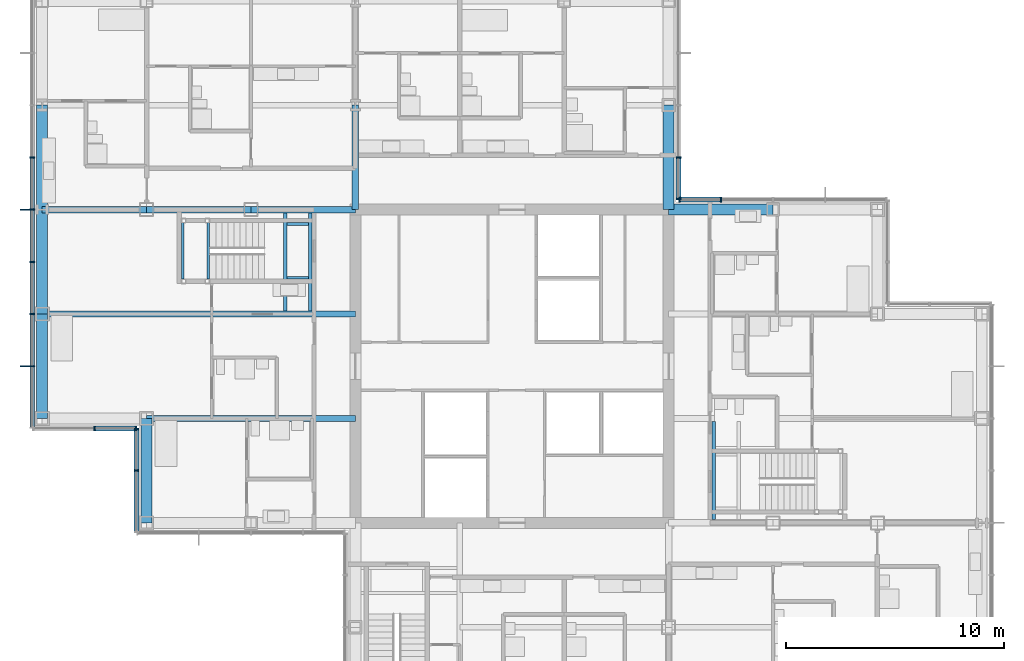
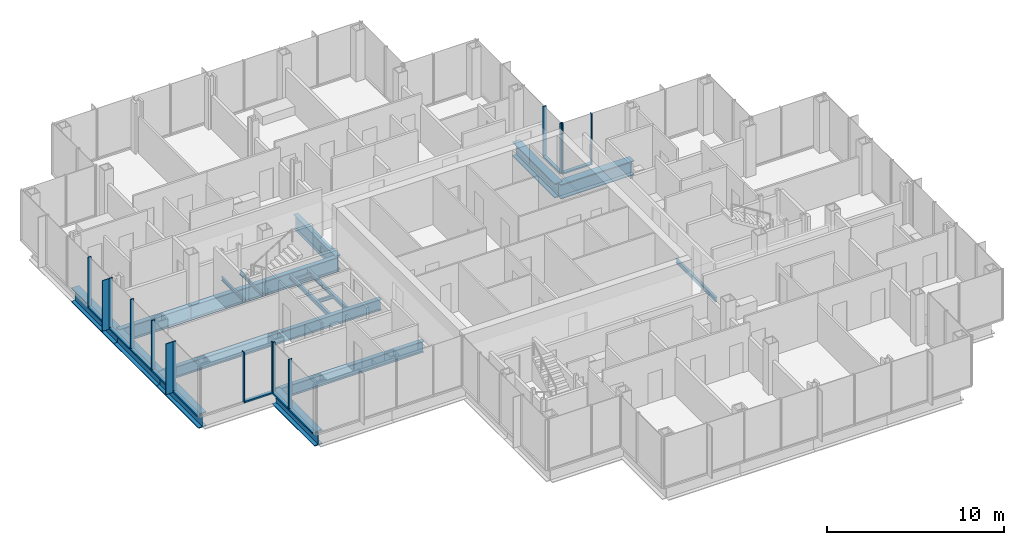
# One storey, part 7 of 20: 25 members, 19 beams, 5 elements without a shape of their own.
"""IFC4 building model written with IfcOpenShell, lengths in metres."""

from ifc_helpers import new_model, si_unit, direction, frame, origin, origin_2d, place, context, subcontext, project, spatial, rectangle, i_section, extrude, material, material_profile, profile_set, type_object, element, aggregate, save


model = new_model("IFC4")

# Units and contexts
model_context = context("Model", 3, precision=1e-05, world=origin(), true_north=direction((0.0, 1.0)))
body_context = subcontext(model_context, "Body", "Model", "MODEL_VIEW")
ifc_project = project(units=[si_unit("LENGTHUNIT", "METRE"), si_unit("AREAUNIT", "SQUARE_METRE"), si_unit("VOLUMEUNIT", "CUBIC_METRE"), si_unit("PLANEANGLEUNIT", "RADIAN"), si_unit("MASSUNIT", "GRAM", prefix="KILO")], contexts=[model_context])

# Site, building, storey
site_placement = place(None, origin())
site = spatial("IfcSite", under=ifc_project, at=site_placement, CompositionType="ELEMENT")
building_placement = place(site_placement, origin())
building = spatial("IfcBuilding", under=site, at=building_placement, Name="Kvirike Care Tower", CompositionType="ELEMENT")
storey_placement = place(building_placement, frame((0.0, 0.0, 101.5)))
storey = spatial("IfcBuildingStorey", under=building, at=storey_placement, Name="L27", CompositionType="ELEMENT", Elevation=101.5)

# Curtain wall, members
ifc_material_1 = material(Name="Anodised aluminium stick system", Category="aluminium")
curtain_wall_type = type_object("IfcCurtainWallType", Name="CW-B STICK CURTAIN WALL", PredefinedType="NOTDEFINED", material=ifc_material_1)
curtain_wall_1_placement = place(storey_placement, origin())
curtain_wall_1 = element("IfcCurtainWall", 1, at=curtain_wall_1_placement, inside=storey, type_object=curtain_wall_type, Name="Curtain wall L27 face 11", PredefinedType="NOTDEFINED")
ifc_material_2 = material(Name="Bronze anodised aluminium fin", Category="aluminium")
ifc_material_profile_1 = material_profile(ifc_material_2, rectangle(XDim=0.050048828125, YDim=0.449951171875, at=origin_2d()), Name="BRONZE FIN 450")
ifc_profile_set_1 = profile_set([ifc_material_profile_1], Name="Bronze anodised aluminium fin")
member_type_1 = type_object("IfcMemberType", Name="BRONZE FIN 450", PredefinedType="USERDEFINED", material=ifc_profile_set_1)
member_1_placement = place(storey_placement, frame((-0.794921875, 43.199951171875, 0.0), z_axis=(0.0, 0.0, 1.0), x_axis=(0.0, -1.0, 0.0)))
member_1 = element("IfcMember", 2, at=member_1_placement, type_object=member_type_1, Name="Bronze fin L27 face 11.5", ObjectType="FIN", PredefinedType="USERDEFINED", context=body_context, shape_type="SweptSolid", body=[
    extrude(rectangle(XDim=0.050048828125, YDim=0.449951171875, at=origin_2d()), origin(), (0.0, 0.0, 1.0), 3.5),
])
member_2_placement = place(storey_placement, frame((-0.794921875, 36.0, 0.0), z_axis=(0.0, 0.0, 1.0), x_axis=(0.0, -1.0, 0.0)))
member_2 = element("IfcMember", 3, at=member_2_placement, type_object=member_type_1, Name="Bronze fin L27 face 11.8", ObjectType="FIN", PredefinedType="USERDEFINED", context=body_context, shape_type="SweptSolid", body=[
    extrude(rectangle(XDim=0.050048828125, YDim=0.449951171875, at=origin_2d()), origin(), (0.0, 0.0, 1.0), 3.5),
])

curtain_wall_2_placement = place(storey_placement, origin())
curtain_wall_2 = element("IfcCurtainWall", 4, at=curtain_wall_2_placement, inside=storey, type_object=curtain_wall_type, Name="Curtain wall L27 face 4", PredefinedType="NOTDEFINED")
ifc_material_3 = material(Name="Bronze anodised aluminium mullion", Category="aluminium")
ifc_material_profile_2 = material_profile(ifc_material_3, rectangle(XDim=0.06494140625, YDim=0.219970703125, at=origin_2d()), Name="CW-B MULLION 65x220")
ifc_profile_set_2 = profile_set([ifc_material_profile_2], Name="Bronze anodised aluminium mullion")
member_type_2 = type_object("IfcMemberType", Name="CW-B MULLION 65x220", PredefinedType="MULLION", material=ifc_profile_set_2)
member_3_placement = place(storey_placement, frame((31.199951171875, 43.659912109375, 0.0), z_axis=(0.0, 0.0, 1.0), x_axis=(-1.0, 0.0, 0.0)))
member_3 = element("IfcMember", 5, at=member_3_placement, type_object=member_type_2, Name="CW-B mullion L27 face 4.4", PredefinedType="MULLION", context=body_context, shape_type="SweptSolid", body=[
    extrude(rectangle(XDim=0.06494140625, YDim=0.219970703125, at=origin_2d()), origin(), (0.0, 0.0, 1.0), 3.5),
])
member_4_placement = place(storey_placement, frame((29.29248046875, 43.659912109375, 0.0), z_axis=(0.0, 0.0, 1.0), x_axis=(-1.0, 0.0, 0.0)))
member_4 = element("IfcMember", 6, at=member_4_placement, type_object=member_type_2, Name="CW-B mullion L27 face 4.5", PredefinedType="MULLION", context=body_context, shape_type="SweptSolid", body=[
    extrude(rectangle(XDim=0.06494140625, YDim=0.219970703125, at=origin_2d()), origin(), (0.0, 0.0, 1.0), 3.5),
])

curtain_wall_3_placement = place(storey_placement, origin())
curtain_wall_3 = element("IfcCurtainWall", 7, at=curtain_wall_3_placement, inside=storey, type_object=curtain_wall_type, Name="Curtain wall L27 face 5", PredefinedType="NOTDEFINED")
member_5_placement = place(storey_placement, frame((29.260009765625, 43.6923828125, 0.0), z_axis=(0.0, 0.0, 1.0), x_axis=(0.0, 1.0, 0.0)))
member_5 = element("IfcMember", 8, at=member_5_placement, type_object=member_type_2, Name="CW-B mullion L27 face 5.1", PredefinedType="MULLION", context=body_context, shape_type="SweptSolid", body=[
    extrude(rectangle(XDim=0.06494140625, YDim=0.219970703125, at=origin_2d()), origin(), (0.0, 0.0, 1.0), 3.5),
])
member_6_placement = place(storey_placement, frame((29.260009765625, 45.60009765625, 0.0), z_axis=(0.0, 0.0, 1.0), x_axis=(0.0, 1.0, 0.0)))
member_6 = element("IfcMember", 9, at=member_6_placement, type_object=member_type_2, Name="CW-B mullion L27 face 5.2", PredefinedType="MULLION", context=body_context, shape_type="SweptSolid", body=[
    extrude(rectangle(XDim=0.06494140625, YDim=0.219970703125, at=origin_2d()), origin(), (0.0, 0.0, 1.0), 3.5),
])

# Member
member_7_placement = place(storey_placement, frame((-0.4599609375, 45.60009765625, 0.0), z_axis=(0.0, 0.0, 1.0), x_axis=(0.0, -1.0, 0.0)))
member_7 = element("IfcMember", 10, at=member_7_placement, type_object=member_type_2, Name="CW-B mullion L27 face 11.4", PredefinedType="MULLION", context=body_context, shape_type="SweptSolid", body=[
    extrude(rectangle(XDim=0.06494140625, YDim=0.219970703125, at=origin_2d()), origin(), (0.0, 0.0, 1.0), 3.5),
])

member_8_placement = place(storey_placement, frame((-0.4599609375, 43.199951171875, 0.0), z_axis=(0.0, 0.0, 1.0), x_axis=(0.0, -1.0, 0.0)))
member_8 = element("IfcMember", 11, at=member_8_placement, type_object=member_type_2, Name="CW-B mullion L27 face 11.5", PredefinedType="MULLION", context=body_context, shape_type="SweptSolid", body=[
    extrude(rectangle(XDim=0.06494140625, YDim=0.219970703125, at=origin_2d()), origin(), (0.0, 0.0, 1.0), 3.5),
])

member_9_placement = place(storey_placement, frame((-0.4599609375, 40.800048828125, 0.0), z_axis=(0.0, 0.0, 1.0), x_axis=(0.0, -1.0, 0.0)))
member_9 = element("IfcMember", 12, at=member_9_placement, type_object=member_type_2, Name="CW-B mullion L27 face 11.6", PredefinedType="MULLION", context=body_context, shape_type="SweptSolid", body=[
    extrude(rectangle(XDim=0.06494140625, YDim=0.219970703125, at=origin_2d()), origin(), (0.0, 0.0, 1.0), 3.5),
])

member_10_placement = place(storey_placement, frame((-0.4599609375, 38.39990234375, 0.0), z_axis=(0.0, 0.0, 1.0), x_axis=(0.0, -1.0, 0.0)))
member_10 = element("IfcMember", 13, at=member_10_placement, type_object=member_type_2, Name="CW-B mullion L27 face 11.7", PredefinedType="MULLION", context=body_context, shape_type="SweptSolid", body=[
    extrude(rectangle(XDim=0.06494140625, YDim=0.219970703125, at=origin_2d()), origin(), (0.0, 0.0, 1.0), 3.5),
])

member_11_placement = place(storey_placement, frame((-0.4599609375, 36.0, 0.0), z_axis=(0.0, 0.0, 1.0), x_axis=(0.0, -1.0, 0.0)))
member_11 = element("IfcMember", 14, at=member_11_placement, type_object=member_type_2, Name="CW-B mullion L27 face 11.8", PredefinedType="MULLION", context=body_context, shape_type="SweptSolid", body=[
    extrude(rectangle(XDim=0.06494140625, YDim=0.219970703125, at=origin_2d()), origin(), (0.0, 0.0, 1.0), 3.5),
])

# Curtain wall, members
curtain_wall_4_placement = place(storey_placement, origin())
curtain_wall_4 = element("IfcCurtainWall", 15, at=curtain_wall_4_placement, inside=storey, type_object=curtain_wall_type, Name="Curtain wall L27 face 12", PredefinedType="NOTDEFINED")
member_12_placement = place(storey_placement, frame((2.39990234375, 33.139892578125, 0.0), z_axis=(0.0, 0.0, 1.0), x_axis=(1.0, 0.0, 0.0)))
member_12 = element("IfcMember", 16, at=member_12_placement, type_object=member_type_2, Name="CW-B mullion L27 face 12.2", PredefinedType="MULLION", context=body_context, shape_type="SweptSolid", body=[
    extrude(rectangle(XDim=0.06494140625, YDim=0.219970703125, at=origin_2d()), origin(), (0.0, 0.0, 1.0), 3.5),
])
member_13_placement = place(storey_placement, frame((4.3076171875, 33.139892578125, 0.0), z_axis=(0.0, 0.0, 1.0), x_axis=(1.0, 0.0, 0.0)))
member_13 = element("IfcMember", 17, at=member_13_placement, type_object=member_type_2, Name="CW-B mullion L27 face 12.3", PredefinedType="MULLION", context=body_context, shape_type="SweptSolid", body=[
    extrude(rectangle(XDim=0.06494140625, YDim=0.219970703125, at=origin_2d()), origin(), (0.0, 0.0, 1.0), 3.5),
])

curtain_wall_5_placement = place(storey_placement, origin())
curtain_wall_5 = element("IfcCurtainWall", 18, at=curtain_wall_5_placement, inside=storey, type_object=curtain_wall_type, Name="Curtain wall L27 face 13", PredefinedType="NOTDEFINED")
member_14_placement = place(storey_placement, frame((4.340087890625, 33.107421875, 0.0), z_axis=(0.0, 0.0, 1.0), x_axis=(0.0, -1.0, 0.0)))
member_14 = element("IfcMember", 19, at=member_14_placement, type_object=member_type_2, Name="CW-B mullion L27 face 13.1", PredefinedType="MULLION", context=body_context, shape_type="SweptSolid", body=[
    extrude(rectangle(XDim=0.06494140625, YDim=0.219970703125, at=origin_2d()), origin(), (0.0, 0.0, 1.0), 3.5),
])
member_15_placement = place(storey_placement, frame((4.340087890625, 31.199951171875, 0.0), z_axis=(0.0, 0.0, 1.0), x_axis=(0.0, -1.0, 0.0)))
member_15 = element("IfcMember", 20, at=member_15_placement, type_object=member_type_2, Name="CW-B mullion L27 face 13.2", PredefinedType="MULLION", context=body_context, shape_type="SweptSolid", body=[
    extrude(rectangle(XDim=0.06494140625, YDim=0.219970703125, at=origin_2d()), origin(), (0.0, 0.0, 1.0), 3.5),
])

# Member
ifc_material_4 = material(Name="Bronze anodised aluminium transom", Category="aluminium")
ifc_material_profile_3 = material_profile(ifc_material_4, rectangle(XDim=0.219970703125, YDim=0.10009765625, at=origin_2d()), Name="CW-B TRANSOM 220x100")
ifc_profile_set_3 = profile_set([ifc_material_profile_3], Name="Bronze anodised aluminium transom")
member_type_3 = type_object("IfcMemberType", Name="CW-B TRANSOM 220x100", PredefinedType="USERDEFINED", material=ifc_profile_set_3)
member_16_placement = place(storey_placement, frame((31.16748046875, 43.659912109375, 0.050048828125), z_axis=(-1.0, 0.0, 0.0), x_axis=(0.0, -1.0, 0.0)))
member_16 = element("IfcMember", 21, at=member_16_placement, type_object=member_type_3, Name="CW-B sill transom L27 face 4.4", ObjectType="TRANSOM", PredefinedType="USERDEFINED", context=body_context, shape_type="SweptSolid", body=[
    extrude(rectangle(XDim=0.219970703125, YDim=0.10009765625, at=origin_2d()), origin(), (0.0, 0.0, 1.0), 1.842529296875),
])

aggregate(curtain_wall_2, [member_3, member_4, member_16])

member_17_placement = place(storey_placement, frame((29.260009765625, 43.72509765625, 0.050048828125), z_axis=(0.0, 1.0, 0.0), x_axis=(-1.0, 0.0, 0.0)))
member_17 = element("IfcMember", 22, at=member_17_placement, type_object=member_type_3, Name="CW-B sill transom L27 face 5.1", ObjectType="TRANSOM", PredefinedType="USERDEFINED", context=body_context, shape_type="SweptSolid", body=[
    extrude(rectangle(XDim=0.219970703125, YDim=0.10009765625, at=origin_2d()), origin(), (0.0, 0.0, 1.0), 1.84228515625),
])

aggregate(curtain_wall_3, [member_5, member_6, member_17])

member_18_placement = place(storey_placement, frame((-0.4599609375, 45.5673828125, 0.050048828125), z_axis=(0.0, -1.0, 0.0), x_axis=(1.0, 0.0, 0.0)))
member_18 = element("IfcMember", 23, at=member_18_placement, type_object=member_type_3, Name="CW-B sill transom L27 face 11.4", ObjectType="TRANSOM", PredefinedType="USERDEFINED", context=body_context, shape_type="SweptSolid", body=[
    extrude(rectangle(XDim=0.219970703125, YDim=0.10009765625, at=origin_2d()), origin(), (0.0, 0.0, 1.0), 2.3349609375),
])

member_19_placement = place(storey_placement, frame((-0.4599609375, 43.16748046875, 0.050048828125), z_axis=(0.0, -1.0, 0.0), x_axis=(1.0, 0.0, 0.0)))
member_19 = element("IfcMember", 24, at=member_19_placement, type_object=member_type_3, Name="CW-B sill transom L27 face 11.5", ObjectType="TRANSOM", PredefinedType="USERDEFINED", context=body_context, shape_type="SweptSolid", body=[
    extrude(rectangle(XDim=0.219970703125, YDim=0.10009765625, at=origin_2d()), origin(), (0.0, 0.0, 1.0), 2.3349609375),
])

member_20_placement = place(storey_placement, frame((-0.4599609375, 40.767578125, 0.050048828125), z_axis=(0.0, -1.0, 0.0), x_axis=(1.0, 0.0, 0.0)))
member_20 = element("IfcMember", 25, at=member_20_placement, type_object=member_type_3, Name="CW-B sill transom L27 face 11.6", ObjectType="TRANSOM", PredefinedType="USERDEFINED", context=body_context, shape_type="SweptSolid", body=[
    extrude(rectangle(XDim=0.219970703125, YDim=0.10009765625, at=origin_2d()), origin(), (0.0, 0.0, 1.0), 2.3349609375),
])

member_21_placement = place(storey_placement, frame((-0.4599609375, 38.367431640625, 0.050048828125), z_axis=(0.0, -1.0, 0.0), x_axis=(1.0, 0.0, 0.0)))
member_21 = element("IfcMember", 26, at=member_21_placement, type_object=member_type_3, Name="CW-B sill transom L27 face 11.7", ObjectType="TRANSOM", PredefinedType="USERDEFINED", context=body_context, shape_type="SweptSolid", body=[
    extrude(rectangle(XDim=0.219970703125, YDim=0.10009765625, at=origin_2d()), origin(), (0.0, 0.0, 1.0), 2.3349609375),
])

member_22_placement = place(storey_placement, frame((-0.4599609375, 35.967529296875, 0.050048828125), z_axis=(0.0, -1.0, 0.0), x_axis=(1.0, 0.0, 0.0)))
member_22 = element("IfcMember", 27, at=member_22_placement, type_object=member_type_3, Name="CW-B sill transom L27 face 11.8", ObjectType="TRANSOM", PredefinedType="USERDEFINED", context=body_context, shape_type="SweptSolid", body=[
    extrude(rectangle(XDim=0.219970703125, YDim=0.10009765625, at=origin_2d()), origin(), (0.0, 0.0, 1.0), 2.762451171875),
])

aggregate(curtain_wall_1, [member_7, member_8, member_1, member_9, member_10, member_11, member_2, member_18, member_19, member_20, member_21, member_22])

member_23_placement = place(storey_placement, frame((2.4326171875, 33.139892578125, 0.050048828125), z_axis=(1.0, 0.0, 0.0), x_axis=(0.0, 1.0, 0.0)))
member_23 = element("IfcMember", 28, at=member_23_placement, type_object=member_type_3, Name="CW-B sill transom L27 face 12.2", ObjectType="TRANSOM", PredefinedType="USERDEFINED", context=body_context, shape_type="SweptSolid", body=[
    extrude(rectangle(XDim=0.219970703125, YDim=0.10009765625, at=origin_2d()), origin(), (0.0, 0.0, 1.0), 1.84228515625),
])

aggregate(curtain_wall_4, [member_12, member_13, member_23])

member_24_placement = place(storey_placement, frame((4.340087890625, 33.074951171875, 0.050048828125), z_axis=(0.0, -1.0, 0.0), x_axis=(1.0, 0.0, 0.0)))
member_24 = element("IfcMember", 29, at=member_24_placement, type_object=member_type_3, Name="CW-B sill transom L27 face 13.1", ObjectType="TRANSOM", PredefinedType="USERDEFINED", context=body_context, shape_type="SweptSolid", body=[
    extrude(rectangle(XDim=0.219970703125, YDim=0.10009765625, at=origin_2d()), origin(), (0.0, 0.0, 1.0), 1.842529296875),
])

member_25_placement = place(storey_placement, frame((4.340087890625, 31.16748046875, 0.050048828125), z_axis=(0.0, -1.0, 0.0), x_axis=(1.0, 0.0, 0.0)))
member_25 = element("IfcMember", 30, at=member_25_placement, type_object=member_type_3, Name="CW-B sill transom L27 face 13.2", ObjectType="TRANSOM", PredefinedType="USERDEFINED", context=body_context, shape_type="SweptSolid", body=[
    extrude(rectangle(XDim=0.219970703125, YDim=0.10009765625, at=origin_2d()), origin(), (0.0, 0.0, 1.0), 2.762451171875),
])

aggregate(curtain_wall_5, [member_14, member_15, member_24, member_25])

# Beams
ifc_material_5 = material(Name="Steel S355", Category="steel")
ifc_material_profile_4 = material_profile(ifc_material_5, i_section(OverallWidth=0.26806640625, OverallDepth=0.77001953125, WebThickness=0.015625, FlangeThickness=0.025390625, FilletRadius=0.01708984375, at=origin_2d()), Name="IPE 750x196")
ifc_profile_set_4 = profile_set([ifc_material_profile_4], Name="Steel S355")
beam_type_1 = type_object("IfcBeamType", Name="FLOOR BEAM IPE 750x196", PredefinedType="BEAM", material=ifc_profile_set_4)
beam_1_placement = place(storey_placement, frame((4.800048828125, 33.60009765625, -0.554931640625), z_axis=(1.0, 0.0, 0.0), x_axis=(0.0, 1.0, 0.0)))
element("IfcBeam", 31, at=beam_1_placement, inside=storey, type_object=beam_type_1, Name="Floor Beam H4-H6 L27", PredefinedType="BEAM", context=body_context, shape_type="SweptSolid", body=[
    extrude(i_section(OverallWidth=0.26806640625, OverallDepth=0.77001953125, WebThickness=0.015625, FlangeThickness=0.025390625, FilletRadius=0.01708984375, at=origin_2d()), origin(), (0.0, 0.0, 1.0), 9.599853515625),
])
beam_2_placement = place(storey_placement, frame((0.0, 38.39990234375, -0.554931640625), z_axis=(1.0, 0.0, 0.0), x_axis=(0.0, 1.0, 0.0)))
element("IfcBeam", 32, at=beam_2_placement, inside=storey, type_object=beam_type_1, Name="Floor Beam J3-J6 L27", PredefinedType="BEAM", context=body_context, shape_type="SweptSolid", body=[
    extrude(i_section(OverallWidth=0.26806640625, OverallDepth=0.77001953125, WebThickness=0.015625, FlangeThickness=0.025390625, FilletRadius=0.01708984375, at=origin_2d()), origin(), (0.0, 0.0, 1.0), 14.39990234375),
])
ifc_material_6 = material(Name="Steel S355", Category="steel")
ifc_material_profile_5 = material_profile(ifc_material_6, i_section(OverallWidth=0.300048828125, OverallDepth=1.0, WebThickness=0.01904296875, FlangeThickness=0.035888671875, FilletRadius=0.030029296875, at=origin_2d()), Name="HE 1000 B")
ifc_profile_set_5 = profile_set([ifc_material_profile_5], Name="Steel S355")
beam_type_2 = type_object("IfcBeamType", Name="FRAME BEAM HE 1000 B", PredefinedType="BEAM", material=ifc_profile_set_5)
for number, where, z_axis, x_axis, name in (
    (33, (0.0, 43.199951171875, -0.669921875), (1.0, 0.0, 0.0), (0.0, 1.0, 0.0), "Frame Beam K3-K4 L27"),
    (34, (4.800048828125, 43.199951171875, -0.669921875), (1.0, 0.0, 0.0), (0.0, 1.0, 0.0), "Frame Beam K4-K5 L27"),
):
    element("IfcBeam", number, at=place(storey_placement, frame(where, z_axis=z_axis, x_axis=x_axis)), inside=storey, type_object=beam_type_2, Name=name, PredefinedType="BEAM", context=body_context, shape_type="SweptSolid", body=[
        extrude(i_section(OverallWidth=0.300048828125, OverallDepth=1.0, WebThickness=0.01904296875, FlangeThickness=0.035888671875, FilletRadius=0.030029296875, at=origin_2d()), origin(), (0.0, 0.0, 1.0), 4.800048828125),
    ])
beam_3_placement = place(storey_placement, frame((9.60009765625, 43.199951171875, -0.669921875), z_axis=(1.0, 0.0, 0.0), x_axis=(0.0, 1.0, 0.0)))
element("IfcBeam", 35, at=beam_3_placement, inside=storey, type_object=beam_type_2, Name="Frame Beam K5-K6 L27", PredefinedType="BEAM", context=body_context, shape_type="SweptSolid", body=[
    extrude(i_section(OverallWidth=0.300048828125, OverallDepth=1.0, WebThickness=0.01904296875, FlangeThickness=0.035888671875, FilletRadius=0.030029296875, at=origin_2d()), origin(), (0.0, 0.0, 1.0), 4.7998046875),
])
beam_4_placement = place(storey_placement, frame((14.39990234375, 43.199951171875, -0.669921875), z_axis=(0.0, 1.0, 0.0), x_axis=(-1.0, 0.0, 0.0)))
element("IfcBeam", 36, at=beam_4_placement, inside=storey, type_object=beam_type_2, Name="Frame Beam K6-L6 L27", PredefinedType="BEAM", context=body_context, shape_type="SweptSolid", body=[
    extrude(i_section(OverallWidth=0.300048828125, OverallDepth=1.0, WebThickness=0.01904296875, FlangeThickness=0.035888671875, FilletRadius=0.030029296875, at=origin_2d()), origin(), (0.0, 0.0, 1.0), 4.800048828125),
])
ifc_material_7 = material(Name="Steel S355", Category="steel")
ifc_material_profile_6 = material_profile(ifc_material_7, i_section(OverallWidth=0.5, OverallDepth=1.0, WebThickness=0.030029296875, FlangeThickness=0.06005859375, at=origin_2d()), Name="PG 1000x500x30x60")
ifc_profile_set_6 = profile_set([ifc_material_profile_6], Name="Steel S355")
beam_type_3 = type_object("IfcBeamType", Name="SPANDREL PG 1000x500x30x60", PredefinedType="SPANDREL", material=ifc_profile_set_6)
beam_5_placement = place(storey_placement, frame((28.800048828125, 43.199951171875, -0.669921875), z_axis=(1.0, 0.0, 0.0), x_axis=(0.0, 1.0, 0.0)))
element("IfcBeam", 37, at=beam_5_placement, inside=storey, type_object=beam_type_3, Name="Spandrel K9-K10 L27", PredefinedType="SPANDREL", context=body_context, shape_type="SweptSolid", body=[
    extrude(i_section(OverallWidth=0.5, OverallDepth=1.0, WebThickness=0.030029296875, FlangeThickness=0.06005859375, at=origin_2d()), origin(), (0.0, 0.0, 1.0), 4.800048828125),
])
beam_6_placement = place(storey_placement, frame((0.0, 33.60009765625, -0.669921875), z_axis=(0.0, 1.0, 0.0), x_axis=(-1.0, 0.0, 0.0)))
element("IfcBeam", 38, at=beam_6_placement, inside=storey, type_object=beam_type_3, Name="Spandrel H3-J3 L27", PredefinedType="SPANDREL", context=body_context, shape_type="SweptSolid", body=[
    extrude(i_section(OverallWidth=0.5, OverallDepth=1.0, WebThickness=0.030029296875, FlangeThickness=0.06005859375, at=origin_2d()), origin(), (0.0, 0.0, 1.0), 4.7998046875),
])
for number, where, z_axis, x_axis, name in (
    (39, (0.0, 38.39990234375, -0.669921875), (0.0, 1.0, 0.0), (-1.0, 0.0, 0.0), "Spandrel J3-K3 L27"),
    (40, (0.0, 43.199951171875, -0.669921875), (0.0, 1.0, 0.0), (-1.0, 0.0, 0.0), "Spandrel K3-L3 L27"),
    (41, (4.800048828125, 28.800048828125, -0.669921875), (0.0, 1.0, 0.0), (-1.0, 0.0, 0.0), "Spandrel G4-H4 L27"),
    (42, (28.800048828125, 43.199951171875, -0.669921875), (0.0, 1.0, 0.0), (-1.0, 0.0, 0.0), "Spandrel K9-L9 L27"),
):
    element("IfcBeam", number, at=place(storey_placement, frame(where, z_axis=z_axis, x_axis=x_axis)), inside=storey, type_object=beam_type_3, Name=name, PredefinedType="SPANDREL", context=body_context, shape_type="SweptSolid", body=[
        extrude(i_section(OverallWidth=0.5, OverallDepth=1.0, WebThickness=0.030029296875, FlangeThickness=0.06005859375, at=origin_2d()), origin(), (0.0, 0.0, 1.0), 4.800048828125),
    ])
ifc_material_8 = material(Name="Steel S355", Category="steel")
ifc_material_profile_7 = material_profile(ifc_material_8, i_section(OverallWidth=0.1201171875, OverallDepth=0.239990234375, WebThickness=0.006103515625, FlangeThickness=0.009765625, FilletRadius=0.014892578125, at=origin_2d()), Name="IPE 240")
ifc_profile_set_7 = profile_set([ifc_material_profile_7], Name="Steel S355")
beam_type_4 = type_object("IfcBeamType", Name="STAIR LANDING BEAM IPE 240", PredefinedType="BEAM", material=ifc_profile_set_7)
for number, where, z_axis, x_axis, name in (
    (43, (6.4599609375, 42.60009765625, 1.429931640625), (0.0, -1.0, 0.0), (1.0, 0.0, 0.0), "Stair 1 landing beam back L27"),
    (44, (7.639892578125, 42.60009765625, 1.429931640625), (0.0, -1.0, 0.0), (1.0, 0.0, 0.0), "Stair 1 landing beam front L27"),
):
    element("IfcBeam", number, at=place(storey_placement, frame(where, z_axis=z_axis, x_axis=x_axis)), inside=storey, type_object=beam_type_4, Name=name, PredefinedType="BEAM", context=body_context, shape_type="SweptSolid", body=[
        extrude(i_section(OverallWidth=0.1201171875, OverallDepth=0.239990234375, WebThickness=0.006103515625, FlangeThickness=0.009765625, FilletRadius=0.014892578125, at=origin_2d()), origin(), (0.0, 0.0, 1.0), 2.60009765625),
    ])
for number, where, z_axis, x_axis, name in (
    (45, (11.25, 42.5400390625, -0.320068359375), (1.0, 0.0, 0.0), (0.0, 1.0, 0.0), "Stair 1 landing edge beam 1 L27"),
    (46, (11.25, 40.06005859375, -0.320068359375), (1.0, 0.0, 0.0), (0.0, 1.0, 0.0), "Stair 1 landing edge beam 2 L27"),
):
    element("IfcBeam", number, at=place(storey_placement, frame(where, z_axis=z_axis, x_axis=x_axis)), inside=storey, type_object=beam_type_4, Name=name, PredefinedType="BEAM", context=body_context, shape_type="SweptSolid", body=[
        extrude(i_section(OverallWidth=0.1201171875, OverallDepth=0.239990234375, WebThickness=0.006103515625, FlangeThickness=0.009765625, FilletRadius=0.014892578125, at=origin_2d()), origin(), (0.0, 0.0, 1.0), 1.0),
    ])
ifc_material_9 = material(Name="Steel S355", Category="steel")
ifc_material_profile_8 = material_profile(ifc_material_9, i_section(OverallWidth=0.14990234375, OverallDepth=0.300048828125, WebThickness=0.007080078125, FlangeThickness=0.0107421875, FilletRadius=0.014892578125, at=origin_2d()), Name="IPE 300")
ifc_profile_set_8 = profile_set([ifc_material_profile_8], Name="Steel S355")
beam_type_5 = type_object("IfcBeamType", Name="STAIR TRIMMER IPE 300", PredefinedType="BEAM", material=ifc_profile_set_8)
for number, where, z_axis, x_axis, name in (
    (47, (11.175048828125, 43.050048828125, -0.35009765625), (0.0, -1.0, 0.0), (1.0, 0.0, 0.0), "Stair 1 trimmer 1 L27"),
    (48, (12.324951171875, 43.050048828125, -0.35009765625), (0.0, -1.0, 0.0), (1.0, 0.0, 0.0), "Stair 1 trimmer 2 L27"),
    (49, (30.875, 28.949951171875, -0.35009765625), (0.0, 1.0, 0.0), (-1.0, 0.0, 0.0), "Stair 2 trimmer 2 L27"),
):
    element("IfcBeam", number, at=place(storey_placement, frame(where, z_axis=z_axis, x_axis=x_axis)), inside=storey, type_object=beam_type_5, Name=name, PredefinedType="BEAM", context=body_context, shape_type="SweptSolid", body=[
        extrude(i_section(OverallWidth=0.14990234375, OverallDepth=0.300048828125, WebThickness=0.007080078125, FlangeThickness=0.0107421875, FilletRadius=0.014892578125, at=origin_2d()), origin(), (0.0, 0.0, 1.0), 4.51611328125),
    ])

save(model, "model.ifc")
